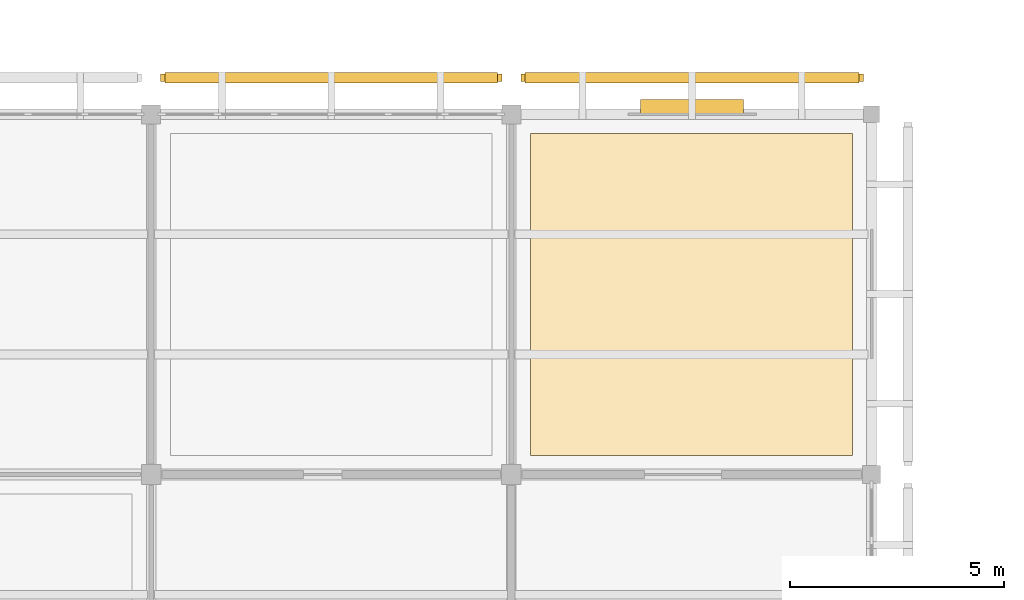
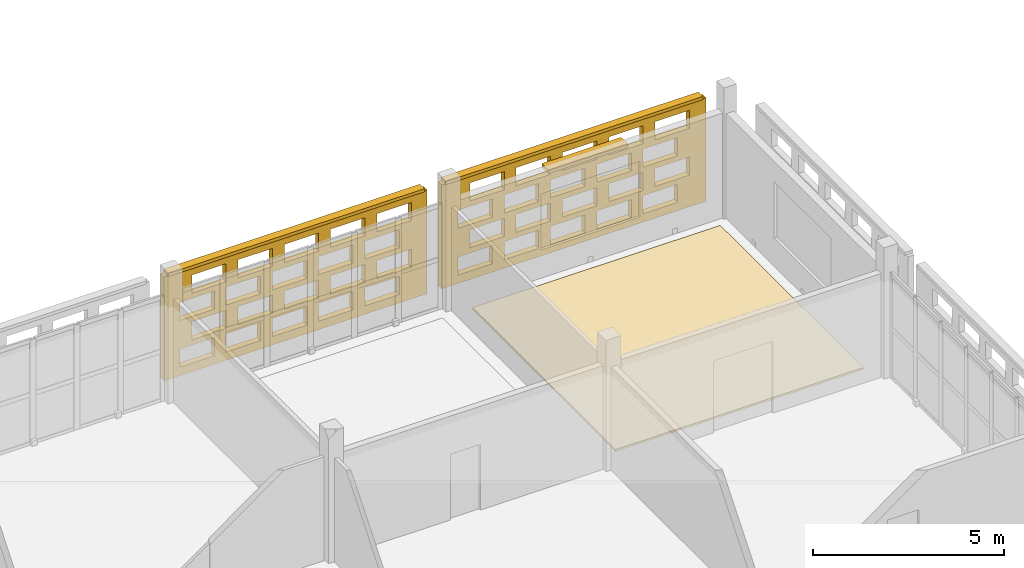
# One storey, part 114 of 140: 3 coverings, 3 shading devices, 40 openings.
"""IFC4 building model written with IfcOpenShell, lengths in metres."""

import ifcopenshell
import ifcopenshell.guid

model = None  # the IFC model being written
_history = None  # IfcOwnerHistory: only IFC2X3 demands one
_inside = {}  # id of a spatial element -> (the spatial element, [elements in it])
_under = {}  # id of a project, library or spatial element -> (it, [spatial elements below it])
_declared = {}  # id of a project -> (the project, [libraries it declares])
_typed = {}  # id of a type object -> (the type object, [elements of that type])
_made_of = {}  # id of a material, layer set ... -> (it, [elements and type objects made of it])


def new_model(schema):
    """Start an empty IFC model of exactly this schema.

    Asked for "IFC4X3", IfcOpenShell would pick the latest addendum, in which some entities
    have other attributes; the version numbers below select the first issue.
    IFC2X3 requires an IfcOwnerHistory on every rooted entity: one is made here for all.
    """
    global model, _history
    if schema == "IFC4X3":
        model = ifcopenshell.file(schema_version=(4, 3, 0, 0))
    else:
        model = ifcopenshell.file(schema=schema)
    _inside.clear()
    _under.clear()
    _declared.clear()
    _typed.clear()
    _made_of.clear()
    _history = None
    if model.schema == "IFC2X3":
        org = make("IfcOrganization", Name="unknown")
        user = make(
            "IfcPersonAndOrganization",
            ThePerson=make("IfcPerson", FamilyName="unknown"),
            TheOrganization=org,
        )
        app = make(
            "IfcApplication",
            ApplicationDeveloper=org,
            Version="unknown",
            ApplicationFullName="unknown",
            ApplicationIdentifier="unknown",
        )
        _history = make(
            "IfcOwnerHistory",
            OwningUser=user,
            OwningApplication=app,
            ChangeAction="ADDED",
            CreationDate=0,
        )
    return model


def make(cls, **values):
    """One entity of the class cls with the attributes given. An attribute that is None is left unset."""
    return model.create_entity(
        cls, **{name: value for name, value in values.items() if value is not None}
    )


def rooted(cls, **values):
    """An entity with a GlobalId (a new one), such as an element, a storey or a relation."""
    return make(cls, GlobalId=ifcopenshell.guid.new(), OwnerHistory=_history, **values)


def si_unit(unit_type, name, prefix=None):
    """IfcSIUnit, for example si_unit("LENGTHUNIT", "METRE", prefix="MILLI")."""
    return make("IfcSIUnit", UnitType=unit_type, Prefix=prefix, Name=name)


def assignment(units):
    """IfcUnitAssignment: the units of a project."""
    return None if units is None else make("IfcUnitAssignment", Units=units)


def point(xyz):
    """IfcCartesianPoint."""
    return None if xyz is None else make("IfcCartesianPoint", Coordinates=xyz)


def direction(xyz):
    """IfcDirection."""
    return None if xyz is None else make("IfcDirection", DirectionRatios=xyz)


def frame(location, z_axis=None, x_axis=None):
    """IfcAxis2Placement3D, a coordinate frame: its origin and axes. An axis left out is left unset."""
    return make(
        "IfcAxis2Placement3D",
        Location=point(location),
        Axis=direction(z_axis),
        RefDirection=direction(x_axis),
    )


def frame_2d(location, x_axis=None):
    """IfcAxis2Placement2D, a coordinate frame in the plane: its origin and x axis."""
    return make(
        "IfcAxis2Placement2D", Location=point(location), RefDirection=direction(x_axis)
    )


def origin():
    """The frame at (0, 0, 0) with its axes left unset."""
    return frame((0.0, 0.0, 0.0))


def origin_2d():
    """The frame at (0, 0) in the plane with its x axis left unset."""
    return frame_2d((0.0, 0.0))


def place(relative_to, where):
    """IfcLocalPlacement: puts the frame where relative to a parent placement (None: the world)."""
    return make(
        "IfcLocalPlacement", PlacementRelTo=relative_to, RelativePlacement=where
    )


def context(
    kind, dimensions, precision=None, world=None, true_north=None, identifier=None
):
    """IfcGeometricRepresentationContext, for example the 3D "Model" context."""
    return make(
        "IfcGeometricRepresentationContext",
        ContextIdentifier=identifier,
        ContextType=kind,
        CoordinateSpaceDimension=dimensions,
        Precision=precision,
        WorldCoordinateSystem=world,
        TrueNorth=true_north,
    )


def subcontext(parent, identifier, kind, view, scale=None):
    """IfcGeometricRepresentationSubContext, for example "Body" below "Model"."""
    return make(
        "IfcGeometricRepresentationSubContext",
        ContextIdentifier=identifier,
        ContextType=kind,
        ParentContext=parent,
        TargetScale=scale,
        TargetView=view,
    )


def project(units=None, contexts=None):
    """IfcProject with its units and contexts."""
    return rooted(
        "IfcProject",
        Name="project",
        RepresentationContexts=contexts,
        UnitsInContext=assignment(units),
    )


def spatial(cls, under=None, at=None, **own):
    """A site, building, storey or space (cls), placed at a placement, below another one or the project."""
    s = rooted(cls, ObjectPlacement=at, **own)
    if under is not None:
        _under.setdefault(under.id(), (under, []))[1].append(s)
    return s


def profile(cls, at=None, kind="AREA", **sizes):
    """A parametric profile (cls). Its sizes go by their IFC names, for example OverallWidth=200.0."""
    return make(cls, ProfileType=kind, Position=at, **sizes)


def rectangle(**sizes):
    """IfcRectangleProfileDef."""
    return profile("IfcRectangleProfileDef", **sizes)


def extrude(swept, where, along, depth):
    """IfcExtrudedAreaSolid: the profile swept, set in the frame where, extruded along a direction by depth."""
    return make(
        "IfcExtrudedAreaSolid",
        SweptArea=swept,
        Position=where,
        ExtrudedDirection=direction(along),
        Depth=depth,
    )


def shape(context_of_items, identifier, shape_type, items):
    """IfcShapeRepresentation: the items that make up one representation, for example the "Body"."""
    return make(
        "IfcShapeRepresentation",
        ContextOfItems=context_of_items,
        RepresentationIdentifier=identifier,
        RepresentationType=shape_type,
        Items=items,
    )


def material(Name=None, Category=None):
    """IfcMaterial."""
    return make("IfcMaterial", Name=Name, Category=Category)


def layer(
    of_material, thickness, ventilated=None, Name=None, Category=None, Priority=None
):
    """IfcMaterialLayer: one layer of a wall or slab, of a material (None: an air gap)."""
    return make(
        "IfcMaterialLayer",
        Material=of_material,
        LayerThickness=thickness,
        IsVentilated=ventilated,
        Name=Name,
        Category=Category,
        Priority=Priority,
    )


def layer_set(layers, Name=None):
    """IfcMaterialLayerSet."""
    return make("IfcMaterialLayerSet", MaterialLayers=layers, LayerSetName=Name)


def made_of(thing, what):
    """Note that an element or type object is made of a material, layer set ...; save() writes the relation."""
    if what is not None:
        _made_of.setdefault(what.id(), (what, []))[1].append(thing)
    return thing


def type_object(cls, material=None, **own):
    """A type object (cls), such as IfcWallType, which elements share."""
    return made_of(rooted(cls, **own), material)


def element(
    cls,
    number,
    at=None,
    inside=None,
    cuts=None,
    type_object=None,
    material=None,
    context=None,
    identifier="Body",
    shape_type=None,
    held_by="IfcProductDefinitionShape",
    body=None,
    shapes=None,
    **own,
):
    """One element of the class cls, such as IfcWall. Its Tag is "e" and its number.

    at: its placement. inside: the storey or other place that contains it. cuts: it is an
    opening in that element (IfcRelVoidsElement). A single representation is given by context,
    identifier, shape_type and body (its items); several are given by shapes. held_by: the class
    of the entity that holds the representations. save() writes the other relations.
    """
    e = rooted(cls, Tag="e%d" % number, ObjectPlacement=at, **own)
    if body is not None:
        shapes = [shape(context, identifier, shape_type, body)]
    if shapes is not None:
        e.Representation = make(held_by, Representations=shapes)
    if inside is not None:
        _inside.setdefault(inside.id(), (inside, []))[1].append(e)
    if cuts is not None:
        rooted(
            "IfcRelVoidsElement", RelatingBuildingElement=cuts, RelatedOpeningElement=e
        )
    if type_object is not None:
        _typed.setdefault(type_object.id(), (type_object, []))[1].append(e)
    return made_of(e, material)


def aggregate(whole, parts):
    """IfcRelAggregates: a whole, such as a stair, and the parts it consists of."""
    return rooted("IfcRelAggregates", RelatingObject=whole, RelatedObjects=parts)


def save(model, path):
    """Write the relations noted so far, then the file.

    IfcRelAggregates (storeys below a building ...), IfcRelContainedInSpatialStructure (elements
    in a storey), IfcRelDefinesByType, IfcRelAssociatesMaterial and IfcRelDeclares: one each for
    every whole, place, type object, material and project.
    """
    for whole, parts in _under.values():
        aggregate(whole, parts)
    for where, things in _inside.values():
        rooted(
            "IfcRelContainedInSpatialStructure",
            RelatedElements=things,
            RelatingStructure=where,
        )
    for kind, things in _typed.values():
        rooted("IfcRelDefinesByType", RelatedObjects=things, RelatingType=kind)
    for what, things in _made_of.values():
        rooted("IfcRelAssociatesMaterial", RelatedObjects=things, RelatingMaterial=what)
    for by, libraries in _declared.values():
        rooted("IfcRelDeclares", RelatingContext=by, RelatedDefinitions=libraries)
    model.write(path)


model = new_model("IFC4")

# Units and contexts
model_context = context("Model", 3, precision=1e-05, world=origin(), true_north=direction((0.0, 1.0)))
body_context = subcontext(model_context, "Body", "Model", "MODEL_VIEW")
ifc_project = project(units=[si_unit("LENGTHUNIT", "METRE"), si_unit("AREAUNIT", "SQUARE_METRE"), si_unit("VOLUMEUNIT", "CUBIC_METRE"), si_unit("PLANEANGLEUNIT", "RADIAN"), si_unit("MASSUNIT", "GRAM", prefix="KILO")], contexts=[model_context])

# Site, building, storey
site_placement = place(None, origin())
site = spatial("IfcSite", under=ifc_project, at=site_placement, CompositionType="ELEMENT")
building_placement = place(site_placement, origin())
building = spatial("IfcBuilding", under=site, at=building_placement, Name="Varnapada Polytechnic", CompositionType="ELEMENT")
storey_placement = place(building_placement, frame((0.0, 0.0, 13.800048828125)))
storey = spatial("IfcBuildingStorey", under=building, at=storey_placement, Name="L03", CompositionType="ELEMENT", Elevation=13.800048828125)

# Covering
ifc_material_1 = material(Name="Anti-Static Raised Laboratory Flooring")
ifc_layer_1 = layer(ifc_material_1, 0.06005859375)
ifc_layer_set_1 = layer_set([ifc_layer_1], Name="Anti-Static Raised Laboratory Flooring")
covering_type_1 = type_object("IfcCoveringType", Name="Floor Finish FLR-02", PredefinedType="FLOORING", material=ifc_layer_set_1)
covering_1_placement = place(storey_placement, frame((29.39990234375, 121.800048828125, 0.0), z_axis=(0.0, 0.0, 1.0), x_axis=(1.0, 0.0, 0.0)))
element("IfcCovering", 1, at=covering_1_placement, inside=storey, type_object=covering_type_1, Name="L03 floor finish panel (4,15)", PredefinedType="FLOORING", context=body_context, shape_type="SweptSolid", body=[
    extrude(rectangle(XDim=7.5, YDim=7.5, at=origin_2d()), origin(), (0.0, 0.0, 1.0), 0.06005859375),
])

# Shading device
ifc_material_2 = material(Name="Anodised aluminium", Category="aluminium")
ifc_layer_2 = layer(ifc_material_2, 0.35009765625)
ifc_layer_set_2 = layer_set([ifc_layer_2], Name="Anodised aluminium")
shading_device_type_1 = type_object("IfcShadingDeviceType", Name="Solar Louvre LVR-01", PredefinedType="JALOUSIE", material=ifc_layer_set_2)
shading_device_1_placement = place(storey_placement, frame((29.4150390625, 126.179931640625, 3.159912109375), z_axis=(0.0, 0.0, 1.0), x_axis=(1.0, 0.0, 0.0)))
element("IfcShadingDevice", 2, at=shading_device_1_placement, inside=storey, type_object=shading_device_type_1, Name="L03 aluminium sun louvre 31", PredefinedType="JALOUSIE", context=body_context, shape_type="SweptSolid", body=[
    extrude(rectangle(XDim=2.39990234375, YDim=0.340087890625, at=origin_2d()), origin(), (0.0, 0.0, 1.0), 0.1201171875),
])

# Covering, openings
ifc_material_3 = material(Name="Earth-toned architectural terracotta screen block", Category="masonry")
ifc_layer_3 = layer(ifc_material_3, 0.1201171875)
ifc_layer_set_3 = layer_set([ifc_layer_3], Name="Earth-toned architectural terracotta screen block")
covering_type_2 = type_object("IfcCoveringType", Name="Terracotta Screen Cladding CLD-01", PredefinedType="CLADDING", material=ifc_layer_set_3)
covering_2_placement = place(storey_placement, frame((17.02001953125, 126.85009765625, 0.0), z_axis=(0.0, 0.0, 1.0), x_axis=(1.0, 0.0, 0.0)))
covering_2 = element("IfcCovering", 3, at=covering_2_placement, inside=storey, type_object=covering_type_2, Name="L03 perforated terracotta block screen (20)", PredefinedType="CLADDING", context=body_context, shape_type="SweptSolid", body=[
    extrude(rectangle(XDim=7.9599609375, YDim=0.179931640625, at=frame_2d((3.97998046875, 0.0))), origin(), (0.0, 0.0, 1.0), 3.320068359375),
])
opening_1_placement = place(covering_2_placement, frame((0.47998046875, 0.0, 0.265625)))
element("IfcOpeningElement", 4, at=opening_1_placement, cuts=covering_2, Name="Screen perforation TBS-L03-019.1", PredefinedType="OPENING", context=body_context, shape_type="SweptSolid", body=[
    extrude(rectangle(XDim=1.0400390625, YDim=0.5810546875, at=frame_2d((0.52001953125, 0.29052734375))), frame((0.0, 0.099853515625, 0.0), z_axis=(0.0, -1.0, 0.0), x_axis=(1.0, 0.0, 0.0)), (0.0, 0.0, 1.0), 0.199951171875),
])
opening_2_placement = place(covering_2_placement, frame((1.8798828125, 0.0, 0.265625)))
element("IfcOpeningElement", 5, at=opening_2_placement, cuts=covering_2, Name="Screen perforation TBS-L03-019.2", PredefinedType="OPENING", context=body_context, shape_type="SweptSolid", body=[
    extrude(rectangle(XDim=1.0400390625, YDim=0.5810546875, at=frame_2d((0.52001953125, 0.29052734375))), frame((0.0, 0.099853515625, 0.0), z_axis=(0.0, -1.0, 0.0), x_axis=(1.0, 0.0, 0.0)), (0.0, 0.0, 1.0), 0.199951171875),
])
opening_3_placement = place(covering_2_placement, frame((3.280029296875, 0.0, 0.265625)))
element("IfcOpeningElement", 6, at=opening_3_placement, cuts=covering_2, Name="Screen perforation TBS-L03-019.3", PredefinedType="OPENING", context=body_context, shape_type="SweptSolid", body=[
    extrude(rectangle(XDim=1.0400390625, YDim=0.5810546875, at=frame_2d((0.52001953125, 0.29052734375))), frame((0.0, 0.099853515625, 0.0), z_axis=(0.0, -1.0, 0.0), x_axis=(1.0, 0.0, 0.0)), (0.0, 0.0, 1.0), 0.199951171875),
])
opening_4_placement = place(covering_2_placement, frame((4.679931640625, 0.0, 0.265625)))
element("IfcOpeningElement", 7, at=opening_4_placement, cuts=covering_2, Name="Screen perforation TBS-L03-019.4", PredefinedType="OPENING", context=body_context, shape_type="SweptSolid", body=[
    extrude(rectangle(XDim=1.0400390625, YDim=0.5810546875, at=frame_2d((0.52001953125, 0.29052734375))), frame((0.0, 0.099853515625, 0.0), z_axis=(0.0, -1.0, 0.0), x_axis=(1.0, 0.0, 0.0)), (0.0, 0.0, 1.0), 0.199951171875),
])
opening_5_placement = place(covering_2_placement, frame((6.080078125, 0.0, 0.265625)))
element("IfcOpeningElement", 8, at=opening_5_placement, cuts=covering_2, Name="Screen perforation TBS-L03-019.5", PredefinedType="OPENING", context=body_context, shape_type="SweptSolid", body=[
    extrude(rectangle(XDim=1.0400390625, YDim=0.5810546875, at=frame_2d((0.52001953125, 0.29052734375))), frame((0.0, 0.099853515625, 0.0), z_axis=(0.0, -1.0, 0.0), x_axis=(1.0, 0.0, 0.0)), (0.0, 0.0, 1.0), 0.199951171875),
])
opening_6_placement = place(covering_2_placement, frame((0.840087890625, 0.0, 1.0126953125)))
element("IfcOpeningElement", 9, at=opening_6_placement, cuts=covering_2, Name="Screen perforation TBS-L03-019.6", PredefinedType="OPENING", context=body_context, shape_type="SweptSolid", body=[
    extrude(rectangle(XDim=1.0400390625, YDim=0.5810546875, at=frame_2d((0.52001953125, 0.29052734375))), frame((0.0, 0.099853515625, 0.0), z_axis=(0.0, -1.0, 0.0), x_axis=(1.0, 0.0, 0.0)), (0.0, 0.0, 1.0), 0.199951171875),
])
opening_7_placement = place(covering_2_placement, frame((2.239990234375, 0.0, 1.0126953125)))
element("IfcOpeningElement", 10, at=opening_7_placement, cuts=covering_2, Name="Screen perforation TBS-L03-019.7", PredefinedType="OPENING", context=body_context, shape_type="SweptSolid", body=[
    extrude(rectangle(XDim=1.0400390625, YDim=0.5810546875, at=frame_2d((0.52001953125, 0.29052734375))), frame((0.0, 0.099853515625, 0.0), z_axis=(0.0, -1.0, 0.0), x_axis=(1.0, 0.0, 0.0)), (0.0, 0.0, 1.0), 0.199951171875),
])
opening_8_placement = place(covering_2_placement, frame((3.639892578125, 0.0, 1.0126953125)))
element("IfcOpeningElement", 11, at=opening_8_placement, cuts=covering_2, Name="Screen perforation TBS-L03-019.8", PredefinedType="OPENING", context=body_context, shape_type="SweptSolid", body=[
    extrude(rectangle(XDim=1.0400390625, YDim=0.5810546875, at=frame_2d((0.52001953125, 0.29052734375))), frame((0.0, 0.099853515625, 0.0), z_axis=(0.0, -1.0, 0.0), x_axis=(1.0, 0.0, 0.0)), (0.0, 0.0, 1.0), 0.199951171875),
])
opening_9_placement = place(covering_2_placement, frame((5.0400390625, 0.0, 1.0126953125)))
element("IfcOpeningElement", 12, at=opening_9_placement, cuts=covering_2, Name="Screen perforation TBS-L03-019.9", PredefinedType="OPENING", context=body_context, shape_type="SweptSolid", body=[
    extrude(rectangle(XDim=1.0400390625, YDim=0.5810546875, at=frame_2d((0.52001953125, 0.29052734375))), frame((0.0, 0.099853515625, 0.0), z_axis=(0.0, -1.0, 0.0), x_axis=(1.0, 0.0, 0.0)), (0.0, 0.0, 1.0), 0.199951171875),
])
opening_10_placement = place(covering_2_placement, frame((6.43994140625, 0.0, 1.0126953125)))
element("IfcOpeningElement", 13, at=opening_10_placement, cuts=covering_2, Name="Screen perforation TBS-L03-019.10", PredefinedType="OPENING", context=body_context, shape_type="SweptSolid", body=[
    extrude(rectangle(XDim=1.0400390625, YDim=0.5810546875, at=frame_2d((0.52001953125, 0.29052734375))), frame((0.0, 0.099853515625, 0.0), z_axis=(0.0, -1.0, 0.0), x_axis=(1.0, 0.0, 0.0)), (0.0, 0.0, 1.0), 0.199951171875),
])
opening_11_placement = place(covering_2_placement, frame((0.47998046875, 0.0, 1.759521484375)))
element("IfcOpeningElement", 14, at=opening_11_placement, cuts=covering_2, Name="Screen perforation TBS-L03-019.11", PredefinedType="OPENING", context=body_context, shape_type="SweptSolid", body=[
    extrude(rectangle(XDim=1.0400390625, YDim=0.5810546875, at=frame_2d((0.52001953125, 0.29052734375))), frame((0.0, 0.099853515625, 0.0), z_axis=(0.0, -1.0, 0.0), x_axis=(1.0, 0.0, 0.0)), (0.0, 0.0, 1.0), 0.199951171875),
])
opening_12_placement = place(covering_2_placement, frame((1.8798828125, 0.0, 1.759521484375)))
element("IfcOpeningElement", 15, at=opening_12_placement, cuts=covering_2, Name="Screen perforation TBS-L03-019.12", PredefinedType="OPENING", context=body_context, shape_type="SweptSolid", body=[
    extrude(rectangle(XDim=1.0400390625, YDim=0.5810546875, at=frame_2d((0.52001953125, 0.29052734375))), frame((0.0, 0.099853515625, 0.0), z_axis=(0.0, -1.0, 0.0), x_axis=(1.0, 0.0, 0.0)), (0.0, 0.0, 1.0), 0.199951171875),
])
opening_13_placement = place(covering_2_placement, frame((3.280029296875, 0.0, 1.759521484375)))
element("IfcOpeningElement", 16, at=opening_13_placement, cuts=covering_2, Name="Screen perforation TBS-L03-019.13", PredefinedType="OPENING", context=body_context, shape_type="SweptSolid", body=[
    extrude(rectangle(XDim=1.0400390625, YDim=0.5810546875, at=frame_2d((0.52001953125, 0.29052734375))), frame((0.0, 0.099853515625, 0.0), z_axis=(0.0, -1.0, 0.0), x_axis=(1.0, 0.0, 0.0)), (0.0, 0.0, 1.0), 0.199951171875),
])
opening_14_placement = place(covering_2_placement, frame((4.679931640625, 0.0, 1.759521484375)))
element("IfcOpeningElement", 17, at=opening_14_placement, cuts=covering_2, Name="Screen perforation TBS-L03-019.14", PredefinedType="OPENING", context=body_context, shape_type="SweptSolid", body=[
    extrude(rectangle(XDim=1.0400390625, YDim=0.5810546875, at=frame_2d((0.52001953125, 0.29052734375))), frame((0.0, 0.099853515625, 0.0), z_axis=(0.0, -1.0, 0.0), x_axis=(1.0, 0.0, 0.0)), (0.0, 0.0, 1.0), 0.199951171875),
])
opening_15_placement = place(covering_2_placement, frame((6.080078125, 0.0, 1.759521484375)))
element("IfcOpeningElement", 18, at=opening_15_placement, cuts=covering_2, Name="Screen perforation TBS-L03-019.15", PredefinedType="OPENING", context=body_context, shape_type="SweptSolid", body=[
    extrude(rectangle(XDim=1.0400390625, YDim=0.5810546875, at=frame_2d((0.52001953125, 0.29052734375))), frame((0.0, 0.099853515625, 0.0), z_axis=(0.0, -1.0, 0.0), x_axis=(1.0, 0.0, 0.0)), (0.0, 0.0, 1.0), 0.199951171875),
])
opening_16_placement = place(covering_2_placement, frame((0.840087890625, 0.0, 2.506591796875)))
element("IfcOpeningElement", 19, at=opening_16_placement, cuts=covering_2, Name="Screen perforation TBS-L03-019.16", PredefinedType="OPENING", context=body_context, shape_type="SweptSolid", body=[
    extrude(rectangle(XDim=1.0400390625, YDim=0.5810546875, at=frame_2d((0.52001953125, 0.29052734375))), frame((0.0, 0.099853515625, 0.0), z_axis=(0.0, -1.0, 0.0), x_axis=(1.0, 0.0, 0.0)), (0.0, 0.0, 1.0), 0.199951171875),
])
opening_17_placement = place(covering_2_placement, frame((2.239990234375, 0.0, 2.506591796875)))
element("IfcOpeningElement", 20, at=opening_17_placement, cuts=covering_2, Name="Screen perforation TBS-L03-019.17", PredefinedType="OPENING", context=body_context, shape_type="SweptSolid", body=[
    extrude(rectangle(XDim=1.0400390625, YDim=0.5810546875, at=frame_2d((0.52001953125, 0.29052734375))), frame((0.0, 0.099853515625, 0.0), z_axis=(0.0, -1.0, 0.0), x_axis=(1.0, 0.0, 0.0)), (0.0, 0.0, 1.0), 0.199951171875),
])
opening_18_placement = place(covering_2_placement, frame((3.639892578125, 0.0, 2.506591796875)))
element("IfcOpeningElement", 21, at=opening_18_placement, cuts=covering_2, Name="Screen perforation TBS-L03-019.18", PredefinedType="OPENING", context=body_context, shape_type="SweptSolid", body=[
    extrude(rectangle(XDim=1.0400390625, YDim=0.5810546875, at=frame_2d((0.52001953125, 0.29052734375))), frame((0.0, 0.099853515625, 0.0), z_axis=(0.0, -1.0, 0.0), x_axis=(1.0, 0.0, 0.0)), (0.0, 0.0, 1.0), 0.199951171875),
])
opening_19_placement = place(covering_2_placement, frame((5.0400390625, 0.0, 2.506591796875)))
element("IfcOpeningElement", 22, at=opening_19_placement, cuts=covering_2, Name="Screen perforation TBS-L03-019.19", PredefinedType="OPENING", context=body_context, shape_type="SweptSolid", body=[
    extrude(rectangle(XDim=1.0400390625, YDim=0.5810546875, at=frame_2d((0.52001953125, 0.29052734375))), frame((0.0, 0.099853515625, 0.0), z_axis=(0.0, -1.0, 0.0), x_axis=(1.0, 0.0, 0.0)), (0.0, 0.0, 1.0), 0.199951171875),
])
opening_20_placement = place(covering_2_placement, frame((6.43994140625, 0.0, 2.506591796875)))
element("IfcOpeningElement", 23, at=opening_20_placement, cuts=covering_2, Name="Screen perforation TBS-L03-019.20", PredefinedType="OPENING", context=body_context, shape_type="SweptSolid", body=[
    extrude(rectangle(XDim=1.0400390625, YDim=0.5810546875, at=frame_2d((0.52001953125, 0.29052734375))), frame((0.0, 0.099853515625, 0.0), z_axis=(0.0, -1.0, 0.0), x_axis=(1.0, 0.0, 0.0)), (0.0, 0.0, 1.0), 0.199951171875),
])

covering_3_placement = place(storey_placement, frame((25.419921875, 126.85009765625, 0.0), z_axis=(0.0, 0.0, 1.0), x_axis=(1.0, 0.0, 0.0)))
covering_3 = element("IfcCovering", 24, at=covering_3_placement, inside=storey, type_object=covering_type_2, Name="L03 perforated terracotta block screen (31)", PredefinedType="CLADDING", context=body_context, shape_type="SweptSolid", body=[
    extrude(rectangle(XDim=7.989990234375, YDim=0.179931640625, at=frame_2d((3.9951171875, 0.0))), origin(), (0.0, 0.0, 1.0), 3.320068359375),
])
opening_21_placement = place(covering_3_placement, frame((0.4951171875, 0.0, 0.265625)))
element("IfcOpeningElement", 25, at=opening_21_placement, cuts=covering_3, Name="Screen perforation TBS-L03-030.1", PredefinedType="OPENING", context=body_context, shape_type="SweptSolid", body=[
    extrude(rectangle(XDim=1.0400390625, YDim=0.5810546875, at=frame_2d((0.52001953125, 0.29052734375))), frame((0.0, 0.099853515625, 0.0), z_axis=(0.0, -1.0, 0.0), x_axis=(1.0, 0.0, 0.0)), (0.0, 0.0, 1.0), 0.199951171875),
])
opening_22_placement = place(covering_3_placement, frame((1.89501953125, 0.0, 0.265625)))
element("IfcOpeningElement", 26, at=opening_22_placement, cuts=covering_3, Name="Screen perforation TBS-L03-030.2", PredefinedType="OPENING", context=body_context, shape_type="SweptSolid", body=[
    extrude(rectangle(XDim=1.0400390625, YDim=0.5810546875, at=frame_2d((0.52001953125, 0.29052734375))), frame((0.0, 0.099853515625, 0.0), z_axis=(0.0, -1.0, 0.0), x_axis=(1.0, 0.0, 0.0)), (0.0, 0.0, 1.0), 0.199951171875),
])
opening_23_placement = place(covering_3_placement, frame((3.294921875, 0.0, 0.265625)))
element("IfcOpeningElement", 27, at=opening_23_placement, cuts=covering_3, Name="Screen perforation TBS-L03-030.3", PredefinedType="OPENING", context=body_context, shape_type="SweptSolid", body=[
    extrude(rectangle(XDim=1.0400390625, YDim=0.5810546875, at=frame_2d((0.52001953125, 0.29052734375))), frame((0.0, 0.099853515625, 0.0), z_axis=(0.0, -1.0, 0.0), x_axis=(1.0, 0.0, 0.0)), (0.0, 0.0, 1.0), 0.199951171875),
])
opening_24_placement = place(covering_3_placement, frame((4.695068359375, 0.0, 0.265625)))
element("IfcOpeningElement", 28, at=opening_24_placement, cuts=covering_3, Name="Screen perforation TBS-L03-030.4", PredefinedType="OPENING", context=body_context, shape_type="SweptSolid", body=[
    extrude(rectangle(XDim=1.0400390625, YDim=0.5810546875, at=frame_2d((0.52001953125, 0.29052734375))), frame((0.0, 0.099853515625, 0.0), z_axis=(0.0, -1.0, 0.0), x_axis=(1.0, 0.0, 0.0)), (0.0, 0.0, 1.0), 0.199951171875),
])
opening_25_placement = place(covering_3_placement, frame((6.094970703125, 0.0, 0.265625)))
element("IfcOpeningElement", 29, at=opening_25_placement, cuts=covering_3, Name="Screen perforation TBS-L03-030.5", PredefinedType="OPENING", context=body_context, shape_type="SweptSolid", body=[
    extrude(rectangle(XDim=1.0400390625, YDim=0.5810546875, at=frame_2d((0.52001953125, 0.29052734375))), frame((0.0, 0.099853515625, 0.0), z_axis=(0.0, -1.0, 0.0), x_axis=(1.0, 0.0, 0.0)), (0.0, 0.0, 1.0), 0.199951171875),
])
opening_26_placement = place(covering_3_placement, frame((0.85498046875, 0.0, 1.0126953125)))
element("IfcOpeningElement", 30, at=opening_26_placement, cuts=covering_3, Name="Screen perforation TBS-L03-030.6", PredefinedType="OPENING", context=body_context, shape_type="SweptSolid", body=[
    extrude(rectangle(XDim=1.0400390625, YDim=0.5810546875, at=frame_2d((0.52001953125, 0.29052734375))), frame((0.0, 0.099853515625, 0.0), z_axis=(0.0, -1.0, 0.0), x_axis=(1.0, 0.0, 0.0)), (0.0, 0.0, 1.0), 0.199951171875),
])
opening_27_placement = place(covering_3_placement, frame((2.2548828125, 0.0, 1.0126953125)))
element("IfcOpeningElement", 31, at=opening_27_placement, cuts=covering_3, Name="Screen perforation TBS-L03-030.7", PredefinedType="OPENING", context=body_context, shape_type="SweptSolid", body=[
    extrude(rectangle(XDim=1.0400390625, YDim=0.5810546875, at=frame_2d((0.52001953125, 0.29052734375))), frame((0.0, 0.099853515625, 0.0), z_axis=(0.0, -1.0, 0.0), x_axis=(1.0, 0.0, 0.0)), (0.0, 0.0, 1.0), 0.199951171875),
])
opening_28_placement = place(covering_3_placement, frame((3.655029296875, 0.0, 1.0126953125)))
element("IfcOpeningElement", 32, at=opening_28_placement, cuts=covering_3, Name="Screen perforation TBS-L03-030.8", PredefinedType="OPENING", context=body_context, shape_type="SweptSolid", body=[
    extrude(rectangle(XDim=1.0400390625, YDim=0.5810546875, at=frame_2d((0.52001953125, 0.29052734375))), frame((0.0, 0.099853515625, 0.0), z_axis=(0.0, -1.0, 0.0), x_axis=(1.0, 0.0, 0.0)), (0.0, 0.0, 1.0), 0.199951171875),
])
opening_29_placement = place(covering_3_placement, frame((5.054931640625, 0.0, 1.0126953125)))
element("IfcOpeningElement", 33, at=opening_29_placement, cuts=covering_3, Name="Screen perforation TBS-L03-030.9", PredefinedType="OPENING", context=body_context, shape_type="SweptSolid", body=[
    extrude(rectangle(XDim=1.0400390625, YDim=0.5810546875, at=frame_2d((0.52001953125, 0.29052734375))), frame((0.0, 0.099853515625, 0.0), z_axis=(0.0, -1.0, 0.0), x_axis=(1.0, 0.0, 0.0)), (0.0, 0.0, 1.0), 0.199951171875),
])
opening_30_placement = place(covering_3_placement, frame((6.455078125, 0.0, 1.0126953125)))
element("IfcOpeningElement", 34, at=opening_30_placement, cuts=covering_3, Name="Screen perforation TBS-L03-030.10", PredefinedType="OPENING", context=body_context, shape_type="SweptSolid", body=[
    extrude(rectangle(XDim=1.0400390625, YDim=0.5810546875, at=frame_2d((0.52001953125, 0.29052734375))), frame((0.0, 0.099853515625, 0.0), z_axis=(0.0, -1.0, 0.0), x_axis=(1.0, 0.0, 0.0)), (0.0, 0.0, 1.0), 0.199951171875),
])
opening_31_placement = place(covering_3_placement, frame((0.4951171875, 0.0, 1.759521484375)))
element("IfcOpeningElement", 35, at=opening_31_placement, cuts=covering_3, Name="Screen perforation TBS-L03-030.11", PredefinedType="OPENING", context=body_context, shape_type="SweptSolid", body=[
    extrude(rectangle(XDim=1.0400390625, YDim=0.5810546875, at=frame_2d((0.52001953125, 0.29052734375))), frame((0.0, 0.099853515625, 0.0), z_axis=(0.0, -1.0, 0.0), x_axis=(1.0, 0.0, 0.0)), (0.0, 0.0, 1.0), 0.199951171875),
])
opening_32_placement = place(covering_3_placement, frame((1.89501953125, 0.0, 1.759521484375)))
element("IfcOpeningElement", 36, at=opening_32_placement, cuts=covering_3, Name="Screen perforation TBS-L03-030.12", PredefinedType="OPENING", context=body_context, shape_type="SweptSolid", body=[
    extrude(rectangle(XDim=1.0400390625, YDim=0.5810546875, at=frame_2d((0.52001953125, 0.29052734375))), frame((0.0, 0.099853515625, 0.0), z_axis=(0.0, -1.0, 0.0), x_axis=(1.0, 0.0, 0.0)), (0.0, 0.0, 1.0), 0.199951171875),
])
opening_33_placement = place(covering_3_placement, frame((3.294921875, 0.0, 1.759521484375)))
element("IfcOpeningElement", 37, at=opening_33_placement, cuts=covering_3, Name="Screen perforation TBS-L03-030.13", PredefinedType="OPENING", context=body_context, shape_type="SweptSolid", body=[
    extrude(rectangle(XDim=1.0400390625, YDim=0.5810546875, at=frame_2d((0.52001953125, 0.29052734375))), frame((0.0, 0.099853515625, 0.0), z_axis=(0.0, -1.0, 0.0), x_axis=(1.0, 0.0, 0.0)), (0.0, 0.0, 1.0), 0.199951171875),
])
opening_34_placement = place(covering_3_placement, frame((4.695068359375, 0.0, 1.759521484375)))
element("IfcOpeningElement", 38, at=opening_34_placement, cuts=covering_3, Name="Screen perforation TBS-L03-030.14", PredefinedType="OPENING", context=body_context, shape_type="SweptSolid", body=[
    extrude(rectangle(XDim=1.0400390625, YDim=0.5810546875, at=frame_2d((0.52001953125, 0.29052734375))), frame((0.0, 0.099853515625, 0.0), z_axis=(0.0, -1.0, 0.0), x_axis=(1.0, 0.0, 0.0)), (0.0, 0.0, 1.0), 0.199951171875),
])
opening_35_placement = place(covering_3_placement, frame((6.094970703125, 0.0, 1.759521484375)))
element("IfcOpeningElement", 39, at=opening_35_placement, cuts=covering_3, Name="Screen perforation TBS-L03-030.15", PredefinedType="OPENING", context=body_context, shape_type="SweptSolid", body=[
    extrude(rectangle(XDim=1.0400390625, YDim=0.5810546875, at=frame_2d((0.52001953125, 0.29052734375))), frame((0.0, 0.099853515625, 0.0), z_axis=(0.0, -1.0, 0.0), x_axis=(1.0, 0.0, 0.0)), (0.0, 0.0, 1.0), 0.199951171875),
])
opening_36_placement = place(covering_3_placement, frame((0.85498046875, 0.0, 2.506591796875)))
element("IfcOpeningElement", 40, at=opening_36_placement, cuts=covering_3, Name="Screen perforation TBS-L03-030.16", PredefinedType="OPENING", context=body_context, shape_type="SweptSolid", body=[
    extrude(rectangle(XDim=1.0400390625, YDim=0.5810546875, at=frame_2d((0.52001953125, 0.29052734375))), frame((0.0, 0.099853515625, 0.0), z_axis=(0.0, -1.0, 0.0), x_axis=(1.0, 0.0, 0.0)), (0.0, 0.0, 1.0), 0.199951171875),
])
opening_37_placement = place(covering_3_placement, frame((2.2548828125, 0.0, 2.506591796875)))
element("IfcOpeningElement", 41, at=opening_37_placement, cuts=covering_3, Name="Screen perforation TBS-L03-030.17", PredefinedType="OPENING", context=body_context, shape_type="SweptSolid", body=[
    extrude(rectangle(XDim=1.0400390625, YDim=0.5810546875, at=frame_2d((0.52001953125, 0.29052734375))), frame((0.0, 0.099853515625, 0.0), z_axis=(0.0, -1.0, 0.0), x_axis=(1.0, 0.0, 0.0)), (0.0, 0.0, 1.0), 0.199951171875),
])
opening_38_placement = place(covering_3_placement, frame((3.655029296875, 0.0, 2.506591796875)))
element("IfcOpeningElement", 42, at=opening_38_placement, cuts=covering_3, Name="Screen perforation TBS-L03-030.18", PredefinedType="OPENING", context=body_context, shape_type="SweptSolid", body=[
    extrude(rectangle(XDim=1.0400390625, YDim=0.5810546875, at=frame_2d((0.52001953125, 0.29052734375))), frame((0.0, 0.099853515625, 0.0), z_axis=(0.0, -1.0, 0.0), x_axis=(1.0, 0.0, 0.0)), (0.0, 0.0, 1.0), 0.199951171875),
])
opening_39_placement = place(covering_3_placement, frame((5.054931640625, 0.0, 2.506591796875)))
element("IfcOpeningElement", 43, at=opening_39_placement, cuts=covering_3, Name="Screen perforation TBS-L03-030.19", PredefinedType="OPENING", context=body_context, shape_type="SweptSolid", body=[
    extrude(rectangle(XDim=1.0400390625, YDim=0.5810546875, at=frame_2d((0.52001953125, 0.29052734375))), frame((0.0, 0.099853515625, 0.0), z_axis=(0.0, -1.0, 0.0), x_axis=(1.0, 0.0, 0.0)), (0.0, 0.0, 1.0), 0.199951171875),
])
opening_40_placement = place(covering_3_placement, frame((6.455078125, 0.0, 2.506591796875)))
element("IfcOpeningElement", 44, at=opening_40_placement, cuts=covering_3, Name="Screen perforation TBS-L03-030.20", PredefinedType="OPENING", context=body_context, shape_type="SweptSolid", body=[
    extrude(rectangle(XDim=1.0400390625, YDim=0.5810546875, at=frame_2d((0.52001953125, 0.29052734375))), frame((0.0, 0.099853515625, 0.0), z_axis=(0.0, -1.0, 0.0), x_axis=(1.0, 0.0, 0.0)), (0.0, 0.0, 1.0), 0.199951171875),
])

# Shading devices
ifc_layer_4 = layer(ifc_material_3, 0.179931640625)
ifc_layer_set_4 = layer_set([ifc_layer_4], Name="Earth-toned architectural terracotta screen block")
shading_device_type_2 = type_object("IfcShadingDeviceType", Name="Terracotta Screen SCR-01", PredefinedType="USERDEFINED", material=ifc_layer_set_4)
shading_device_2_placement = place(storey_placement, frame((21.0, 126.85009765625, 3.309814453125), z_axis=(0.0, 0.0, 1.0), x_axis=(1.0, 0.0, 0.0)))
element("IfcShadingDevice", 45, at=shading_device_2_placement, inside=storey, type_object=shading_device_type_2, Name="L03 perforated terracotta screen hood 355", ObjectType="SCREEN", PredefinedType="USERDEFINED", context=body_context, shape_type="SweptSolid", body=[
    extrude(rectangle(XDim=7.760009765625, YDim=0.239990234375, at=origin_2d()), origin(), (0.0, 0.0, 1.0), 0.10009765625),
])
shading_device_3_placement = place(storey_placement, frame((29.4150390625, 126.85009765625, 3.309814453125), z_axis=(0.0, 0.0, 1.0), x_axis=(1.0, 0.0, 0.0)))
element("IfcShadingDevice", 46, at=shading_device_3_placement, inside=storey, type_object=shading_device_type_2, Name="L03 perforated terracotta screen hood 366", ObjectType="SCREEN", PredefinedType="USERDEFINED", context=body_context, shape_type="SweptSolid", body=[
    extrude(rectangle(XDim=7.7900390625, YDim=0.239990234375, at=origin_2d()), origin(), (0.0, 0.0, 1.0), 0.10009765625),
])

save(model, "model.ifc")
